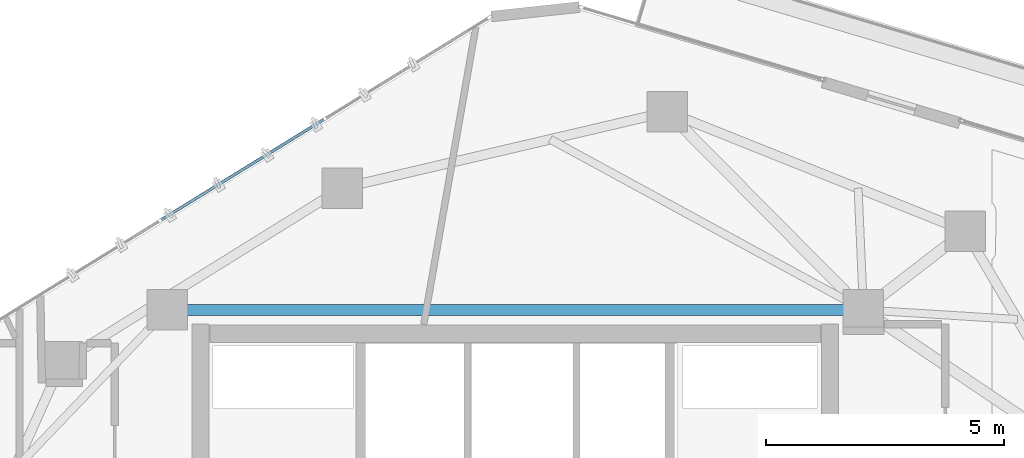
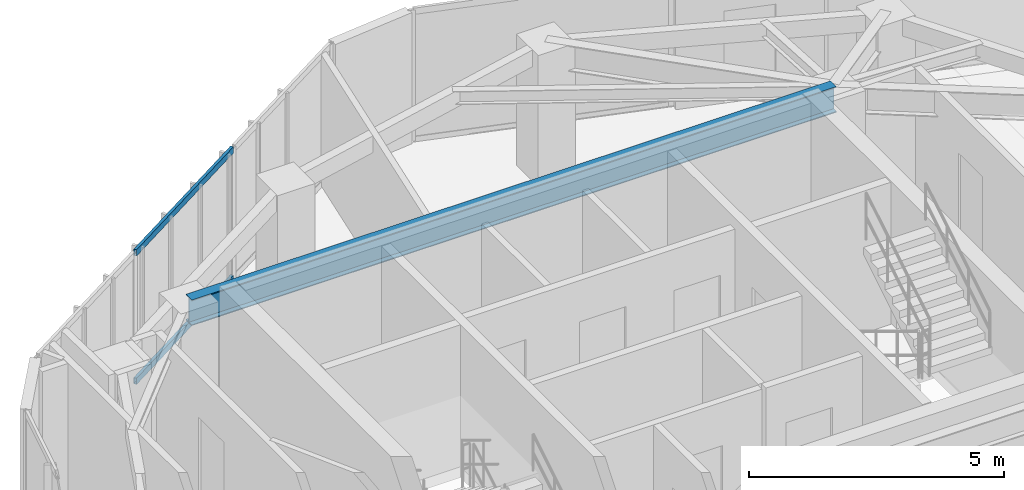
# One storey, part 10 of 20: 2 members, 1 beam, 1 element without a shape of its own.
"""IFC4 building model written with IfcOpenShell, lengths in metres."""

from ifc_helpers import new_model, si_unit, direction, frame, origin, origin_2d, place, context, subcontext, project, spatial, hollow_rectangle, i_section, extrude, source, transform, mapped, material, layer, layer_set, material_profile, profile_set, type_object, type_shapes, element, aggregate, save


model = new_model("IFC4")

# Units and contexts
model_context = context("Model", 3, precision=1e-05, world=origin(), true_north=direction((0.0, 1.0)))
body_context = subcontext(model_context, "Body", "Model", "MODEL_VIEW")
ifc_project = project(units=[si_unit("LENGTHUNIT", "METRE"), si_unit("AREAUNIT", "SQUARE_METRE"), si_unit("VOLUMEUNIT", "CUBIC_METRE"), si_unit("PLANEANGLEUNIT", "RADIAN"), si_unit("MASSUNIT", "GRAM", prefix="KILO")], contexts=[model_context])

# Site, building, storey
site_placement = place(None, origin())
site = spatial("IfcSite", under=ifc_project, at=site_placement, CompositionType="ELEMENT")
building_placement = place(site_placement, origin())
building = spatial("IfcBuilding", under=site, at=building_placement, Name="Talar Marvaseh", CompositionType="ELEMENT")
storey_placement = place(building_placement, frame((0.0, 0.0, 251.0)))
storey = spatial("IfcBuildingStorey", under=building, at=storey_placement, Name="L66", CompositionType="ELEMENT", Elevation=251.0)

# Beam
ifc_material_1 = material(Name="Steel S355", Category="steel")
ifc_material_profile_1 = material_profile(ifc_material_1, i_section(OverallWidth=0.22998046875, OverallDepth=0.616943359375, WebThickness=0.01318359375, FlangeThickness=0.022216796875, at=origin_2d()), Name="W610x140")
ifc_profile_set_1 = profile_set([ifc_material_profile_1], Name="Steel S355")
beam_type = type_object("IfcBeamType", Name="Zone 4 Radial Floor Girder W610x140", PredefinedType="BEAM", material=ifc_profile_set_1)
beam_placement = place(storey_placement, frame((18.699951171875, 36.89990234375, 2.83154296875), z_axis=(1.0, 0.0, 0.0), x_axis=(0.0, 1.0, 0.0)))
element("IfcBeam", 1, at=beam_placement, inside=storey, type_object=beam_type, Name="L66 Zone 4 Radial Floor Girder W610x140", PredefinedType="BEAM", context=body_context, shape_type="SweptSolid", body=[
    extrude(i_section(OverallWidth=0.22998046875, OverallDepth=0.616943359375, WebThickness=0.01318359375, FlangeThickness=0.022216796875, at=origin_2d()), origin(), (0.0, 0.0, 1.0), 14.60009765625),
])

# Curtain wall, members
ifc_material_2 = material(Name="Architectural Aluminium", Category="aluminium")
ifc_layer = layer(ifc_material_2, 0.179931640625)
ifc_layer_set = layer_set([ifc_layer], Name="Architectural Aluminium")
curtain_wall_type = type_object("IfcCurtainWallType", Name="Unitised High-Wind Sky Curtain Wall Z4", PredefinedType="NOTDEFINED", material=ifc_layer_set)
curtain_wall_placement = place(storey_placement, origin())
curtain_wall = element("IfcCurtainWall", 2, at=curtain_wall_placement, inside=storey, type_object=curtain_wall_type, Name="L66 Unitised High-Wind Sky Curtain Wall Z4", PredefinedType="NOTDEFINED")
ifc_material_profile_2 = material_profile(ifc_material_2, hollow_rectangle(XDim=0.06494140625, YDim=0.14990234375, WallThickness=0.00390625, at=origin_2d()), Name="RHS150x65x4")
ifc_profile_set_2 = profile_set([ifc_material_profile_2], Name="Architectural Aluminium")
member_type = type_object("IfcMemberType", Name="Unitised Curtain Wall Slim Transom RHS150x65x4", PredefinedType="USERDEFINED", material=ifc_profile_set_2)
shared_shape = source(origin(), body_context, "Body", "SweptSolid", [
    extrude(hollow_rectangle(XDim=0.06494140625, YDim=0.14990234375, WallThickness=0.00390625, at=origin_2d()), origin(), (0.0, 0.0, 1.0), 4.00390625),
])
type_shapes(member_type, [shared_shape])
member_1_placement = place(storey_placement, frame((18.576171875, 38.7880859375, 0.032470703125), z_axis=(0.850985568459, 0.525189072882, 0.0), x_axis=(-0.525189072882, 0.850985568459, 0.0)))
member_1 = element("IfcMember", 3, at=member_1_placement, type_object=member_type, Name="CW-Z4 transom 2.1", ObjectType="TRANSOM", PredefinedType="USERDEFINED", context=body_context, shape_type="MappedRepresentation", body=[
    mapped(shared_shape, transform((0.0, 0.0, 0.0), x_axis=(1.0, 0.0, 0.0), y_axis=(0.0, 1.0, 0.0), z_axis=(0.0, 0.0, 1.0), scale=1.0)),
])
member_2_placement = place(storey_placement, frame((18.576171875, 38.7880859375, 3.107421875), z_axis=(0.850985568459, 0.525189072882, 0.0), x_axis=(-0.525189072882, 0.850985568459, 0.0)))
member_2 = element("IfcMember", 4, at=member_2_placement, type_object=member_type, Name="CW-Z4 transom 2.2", ObjectType="TRANSOM", PredefinedType="USERDEFINED", context=body_context, shape_type="MappedRepresentation", body=[
    mapped(shared_shape, transform((0.0, 0.0, 0.0), x_axis=(1.0, 0.0, 0.0), y_axis=(0.0, 1.0, 0.0), z_axis=(0.0, 0.0, 1.0), scale=1.0)),
])
aggregate(curtain_wall, [member_1, member_2])

save(model, "model.ifc")
